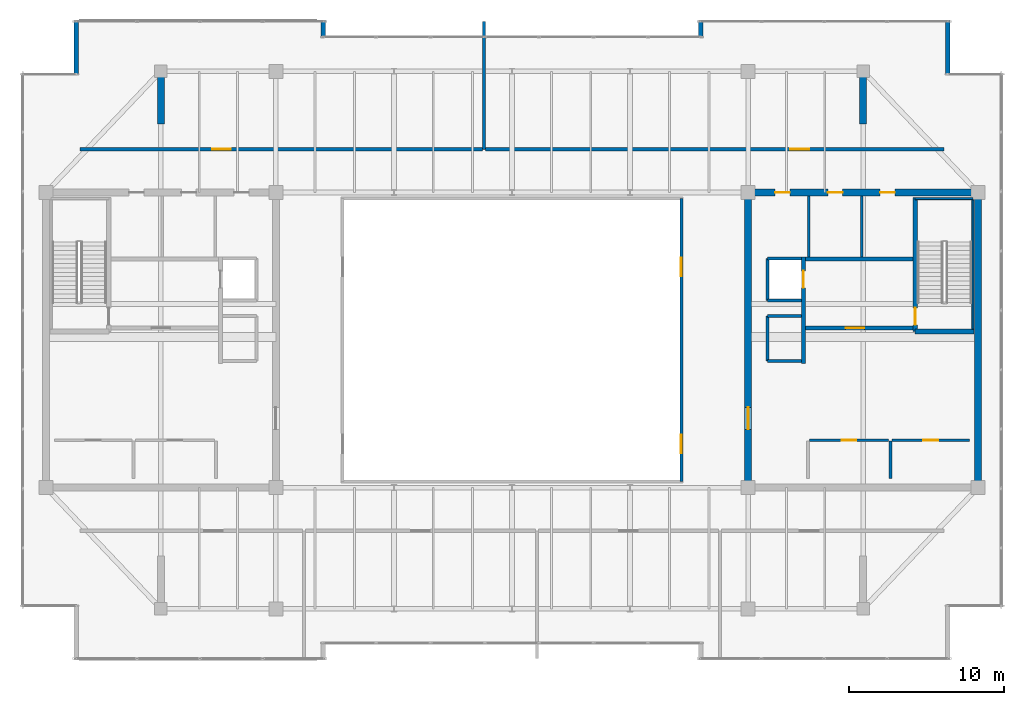
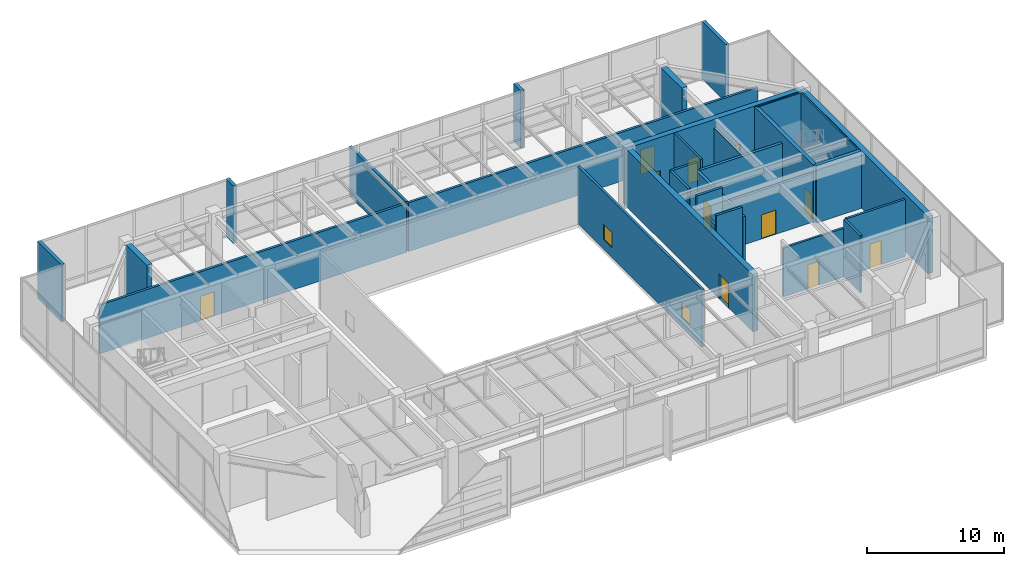
# One storey, part 26 of 30: 31 walls, 11 doors, 2 windows, 13 openings.
"""IFC4 building model written with IfcOpenShell, lengths in metres."""

from ifc_helpers import new_model, si_unit, direction, frame, frame_2d, origin, place, context, subcontext, project, spatial, rectangle, extrude, source, transform, mapped, material, layer, layer_set, type_object, type_shapes, element, fill, save


model = new_model("IFC4")

# Units and contexts
model_context = context("Model", 3, precision=1e-05, world=origin(), true_north=direction((0.0, 1.0)))
body_context = subcontext(model_context, "Body", "Model", "MODEL_VIEW")
ifc_project = project(units=[si_unit("LENGTHUNIT", "METRE"), si_unit("AREAUNIT", "SQUARE_METRE"), si_unit("VOLUMEUNIT", "CUBIC_METRE"), si_unit("PLANEANGLEUNIT", "RADIAN"), si_unit("MASSUNIT", "GRAM", prefix="KILO")], contexts=[model_context])

# Site, building, storey
site_placement = place(None, origin())
site = spatial("IfcSite", under=ifc_project, at=site_placement, CompositionType="ELEMENT")
building_placement = place(site_placement, origin())
building = spatial("IfcBuilding", under=site, at=building_placement, Name="Haelvirn Gate Laboratories", CompositionType="ELEMENT")
storey_placement = place(building_placement, frame((0.0, 0.0, 332.39990234375)))
storey = spatial("IfcBuildingStorey", under=building, at=storey_placement, Name="L79", CompositionType="ELEMENT", Elevation=332.39990234375)

# Walls
ifc_material_1 = material(Name="Thermally-broken bronze aluminium rainscreen & mineral wool", Category="aluminium")
ifc_layer_1 = layer(ifc_material_1, 0.280029296875, Name="EW-TERR-280")
ifc_layer_set_1 = layer_set([ifc_layer_1], Name="Thermally-broken bronze aluminium rainscreen & mineral wool")
wall_type_1 = type_object("IfcWallType", Name="EW-TERR-280", PredefinedType="STANDARD", material=ifc_layer_set_1)
wall_1_placement = place(storey_placement, frame((65.4599609375, 41.412109375, 0.0), z_axis=(0.0, 0.0, 1.0), x_axis=(0.0, 1.0, 0.0)))
element("IfcWall", 1, at=wall_1_placement, inside=storey, type_object=wall_type_1, Name="L79 Atrium Recess Bronze Return Wall 09", PredefinedType="STANDARD", context=body_context, shape_type="SweptSolid", body=[
    extrude(rectangle(XDim=3.48779296875, YDim=0.280029296875, at=frame_2d((1.743896484375, 0.0))), origin(), (0.0, 0.0, 1.0), 5.1201171875),
])
for number, where, z_axis, x_axis, name in (
    (2, (49.5400390625, 44.89990234375, 0.0), (0.0, 0.0, 1.0), (0.0, -1.0, 0.0), "L79 Atrium Recess Bronze Return Wall 11"),
    (3, (25.260009765625, 43.81689453125, 0.0), (0.0, 0.0, 1.0), (0.0, 1.0, 0.0), "L79 Atrium Recess Bronze Return Wall 13"),
):
    element("IfcWall", number, at=place(storey_placement, frame(where, z_axis=z_axis, x_axis=x_axis)), inside=storey, type_object=wall_type_1, Name=name, PredefinedType="STANDARD", context=body_context, shape_type="SweptSolid", body=[
        extrude(rectangle(XDim=1.0830078125, YDim=0.280029296875, at=frame_2d((0.54150390625, 0.0))), origin(), (0.0, 0.0, 1.0), 5.1201171875),
    ])
wall_2_placement = place(storey_placement, frame((9.340087890625, 44.89990234375, 0.0), z_axis=(0.0, 0.0, 1.0), x_axis=(0.0, -1.0, 0.0)))
element("IfcWall", 4, at=wall_2_placement, inside=storey, type_object=wall_type_1, Name="L79 Atrium Recess Bronze Return Wall 15", PredefinedType="STANDARD", context=body_context, shape_type="SweptSolid", body=[
    extrude(rectangle(XDim=3.48779296875, YDim=0.280029296875, at=frame_2d((1.743896484375, 0.0))), origin(), (0.0, 0.0, 1.0), 5.1201171875),
])

# Wall, openings, windows
ifc_material_2 = material(Name="Tempered fire-rated borosilicate glass & anodised aluminium", Category="aluminium")
ifc_layer_2 = layer(ifc_material_2, 0.195068359375, Name="IW-GLAZ-200")
ifc_layer_set_2 = layer_set([ifc_layer_2], Name="Tempered fire-rated borosilicate glass & anodised aluminium")
wall_type_2 = type_object("IfcWallType", Name="IW-GLAZ-200", PredefinedType="SOLIDWALL", material=ifc_layer_set_2)
wall_3_placement = place(storey_placement, frame((48.300048828125, 15.199951171875, 0.0), z_axis=(0.0, 0.0, 1.0), x_axis=(0.0, 1.0, 0.0)))
wall_3 = element("IfcWall", 5, at=wall_3_placement, inside=storey, type_object=wall_type_2, Name="L79 Interior Wall IW-L79-ATRIUM-E", PredefinedType="SOLIDWALL", context=body_context, shape_type="SweptSolid", body=[
    extrude(rectangle(XDim=18.199951171875, YDim=0.195068359375, at=frame_2d((9.10009765625, 0.0))), origin(), (0.0, 0.0, 1.0), 5.1201171875),
])
opening_1_placement = place(wall_3_placement, frame((1.800048828125, 0.0, 0.89990234375)))
opening_1 = element("IfcOpeningElement", 6, at=opening_1_placement, cuts=wall_3, Name="Opening W6", PredefinedType="OPENING", context=body_context, shape_type="SweptSolid", body=[
    extrude(rectangle(XDim=1.199951171875, YDim=1.35009765625, at=frame_2d((0.60009765625, 0.675048828125))), frame((0.0, 0.107421875, 0.0), z_axis=(0.0, -1.0, 0.0), x_axis=(1.0, 0.0, 0.0)), (0.0, 0.0, 1.0), 0.215087890625),
])
opening_2_placement = place(wall_3_placement, frame((13.199951171875, 0.0, 0.89990234375)))
opening_2 = element("IfcOpeningElement", 7, at=opening_2_placement, cuts=wall_3, Name="Opening W6", PredefinedType="OPENING", context=body_context, shape_type="SweptSolid", body=[
    extrude(rectangle(XDim=1.199951171875, YDim=1.35009765625, at=frame_2d((0.60009765625, 0.675048828125))), frame((0.0, 0.107421875, 0.0), z_axis=(0.0, -1.0, 0.0), x_axis=(1.0, 0.0, 0.0)), (0.0, 0.0, 1.0), 0.215087890625),
])
ifc_material_3 = material(Name="Fire-rated EI 120 borosilicate atrium vision glazing", Category="glass")
window_type = type_object("IfcWindowType", Name="WN-ATR-1200", PartitioningType="SINGLE_PANEL", PredefinedType="WINDOW", material=ifc_material_3)
shared_shape_1 = source(origin(), body_context, "Body", "SweptSolid", [
    extrude(rectangle(XDim=1.199951171875, YDim=1.35009765625, at=frame_2d((0.60009765625, 0.675048828125))), frame((0.0, 0.030029296875, 0.0), z_axis=(0.0, -1.0, 0.0), x_axis=(1.0, 0.0, 0.0)), (0.0, 0.0, 1.0), 0.06005859375),
])
type_shapes(window_type, [shared_shape_1])
window_1_placement = place(opening_1_placement, origin())
window_1 = element("IfcWindow", 8, at=window_1_placement, inside=storey, type_object=window_type, Name="L79 Atrium Observation Window 1", OverallHeight=1.35009765625, OverallWidth=1.199951171875, PartitioningType="SINGLE_PANEL", PredefinedType="WINDOW", context=body_context, shape_type="MappedRepresentation", body=[
    mapped(shared_shape_1, transform((0.0, 0.0, 0.0), scale=1.0)),
])
fill(opening_1, window_1)
window_2_placement = place(opening_2_placement, origin())
window_2 = element("IfcWindow", 9, at=window_2_placement, inside=storey, type_object=window_type, Name="L79 Atrium Observation Window 2", OverallHeight=1.35009765625, OverallWidth=1.199951171875, PartitioningType="SINGLE_PANEL", PredefinedType="WINDOW", context=body_context, shape_type="MappedRepresentation", body=[
    mapped(shared_shape_1, transform((0.0, 0.0, 0.0), scale=1.0)),
])
fill(opening_2, window_2)

# Walls
ifc_material_4 = material(Name="Cement-board restroom plumbing chase wall", Category="gypsum")
ifc_layer_3 = layer(ifc_material_4, 0.155029296875, Name="IW-PLUMB-160")
ifc_layer_set_3 = layer_set([ifc_layer_3], Name="Cement-board restroom plumbing chase wall")
wall_type_3 = type_object("IfcWallType", Name="IW-PLUMB-160", PredefinedType="PLUMBINGWALL", material=ifc_layer_set_3)
wall_4_placement = place(storey_placement, frame((59.909912109375, 29.64990234375, 0.0), z_axis=(0.0, 0.0, 1.0), x_axis=(0.0, 1.0, 0.0)))
element("IfcWall", 10, at=wall_4_placement, inside=storey, type_object=wall_type_3, Name="L79 Interior Wall IW-L79-E-CDIV-1", PredefinedType="PLUMBINGWALL", context=body_context, shape_type="SweptSolid", body=[
    extrude(rectangle(XDim=3.93017578125, YDim=0.155029296875, at=frame_2d((1.965087890625, 0.0))), origin(), (0.0, 0.0, 1.0), 4.35498046875),
])
wall_5_placement = place(storey_placement, frame((56.510009765625, 29.64990234375, 0.0), z_axis=(0.0, 0.0, 1.0), x_axis=(0.0, 1.0, 0.0)))
element("IfcWall", 11, at=wall_5_placement, inside=storey, type_object=wall_type_3, Name="L79 Interior Wall IW-L79-E-CDIV-2", PredefinedType="PLUMBINGWALL", context=body_context, shape_type="SweptSolid", body=[
    extrude(rectangle(XDim=3.93017578125, YDim=0.155029296875, at=frame_2d((1.965087890625, 0.0))), origin(), (0.0, 0.0, 1.0), 5.1201171875),
])

# Wall, opening, door
ifc_material_5 = material(Name="Concrete C40/50", Category="concrete")
ifc_layer_4 = layer(ifc_material_5, 0.179931640625, Name="IW-SHAFT-180")
ifc_layer_set_4 = layer_set([ifc_layer_4], Name="Concrete C40/50")
wall_type_4 = type_object("IfcWallType", Name="IW-SHAFT-180", PredefinedType="SOLIDWALL", material=ifc_layer_set_4)
wall_6_placement = place(storey_placement, frame((61.85009765625, 17.85009765625, 0.0), z_axis=(0.0, 0.0, 1.0), x_axis=(1.0, 0.0, 0.0)))
wall_6 = element("IfcWall", 12, at=wall_6_placement, inside=storey, type_object=wall_type_4, Name="L79 Interior Wall IW-L79-E-FREED-HN-1", PredefinedType="SOLIDWALL", context=body_context, shape_type="SweptSolid", body=[
    extrude(rectangle(XDim=5.0, YDim=0.179931640625, at=frame_2d((2.5, 0.0))), origin(), (0.0, 0.0, 1.0), 5.1201171875),
])
opening_3_placement = place(wall_6_placement, frame((2.02490234375, 0.0, 0.0)))
opening_3 = element("IfcOpeningElement", 13, at=opening_3_placement, cuts=wall_6, Name="Opening FD4", PredefinedType="OPENING", context=body_context, shape_type="SweptSolid", body=[
    extrude(rectangle(XDim=0.949951171875, YDim=2.14990234375, at=frame_2d((0.47509765625, 1.074951171875))), frame((0.0, 0.10009765625, 0.0), z_axis=(0.0, -1.0, 0.0), x_axis=(1.0, 0.0, 0.0)), (0.0, 0.0, 1.0), 0.199951171875),
])
ifc_material_6 = material(Name="Fire-rated steel SM355 core service door", Category="steel")
door_type_1 = type_object("IfcDoorType", Name="DR-FD-950", OperationType="NOTDEFINED", PredefinedType="DOOR", material=ifc_material_6)
shared_shape_2 = source(origin(), body_context, "Body", "SweptSolid", [
    extrude(rectangle(XDim=0.949951171875, YDim=2.14990234375, at=frame_2d((0.47509765625, 1.074951171875))), frame((0.0, 0.02490234375, 0.0), z_axis=(0.0, -1.0, 0.0), x_axis=(1.0, 0.0, 0.0)), (0.0, 0.0, 1.0), 0.050048828125),
])
type_shapes(door_type_1, [shared_shape_2])
door_1_placement = place(opening_3_placement, origin())
door_1 = element("IfcDoor", 14, at=door_1_placement, inside=storey, type_object=door_type_1, Name="L79 Cryogenic Specimen Biobank Door", OperationType="SINGLE_SWING_LEFT", OverallHeight=2.14990234375, OverallWidth=0.949951171875, PredefinedType="DOOR", context=body_context, shape_type="MappedRepresentation", body=[
    mapped(shared_shape_2, transform((0.0, 0.0, 0.0), scale=1.0)),
])
fill(opening_3, door_1)

# Wall
wall_7_placement = place(storey_placement, frame((61.760009765625, 15.39990234375, 0.0), z_axis=(0.0, 0.0, 1.0), x_axis=(0.0, 1.0, 0.0)))
element("IfcWall", 15, at=wall_7_placement, inside=storey, type_object=wall_type_4, Name="L79 Interior Wall IW-L79-E-FREED-HE-1", PredefinedType="SOLIDWALL", context=body_context, shape_type="SweptSolid", body=[
    extrude(rectangle(XDim=2.400146484375, YDim=0.179931640625, at=frame_2d((1.2001953125, 0.0))), origin(), (0.0, 0.0, 1.0), 5.1201171875),
])

# Wall, opening, door
wall_8_placement = place(storey_placement, frame((56.550048828125, 17.85009765625, 0.0), z_axis=(0.0, 0.0, 1.0), x_axis=(1.0, 0.0, 0.0)))
wall_8 = element("IfcWall", 16, at=wall_8_placement, inside=storey, type_object=wall_type_4, Name="L79 Interior Wall IW-L79-E-FREED-HN-2", PredefinedType="SOLIDWALL", context=body_context, shape_type="SweptSolid", body=[
    extrude(rectangle(XDim=5.099853515625, YDim=0.179931640625, at=frame_2d((2.5498046875, 0.0))), origin(), (0.0, 0.0, 1.0), 4.35498046875),
])
opening_4_placement = place(wall_8_placement, frame((2.074951171875, 0.0, 0.0)))
opening_4 = element("IfcOpeningElement", 17, at=opening_4_placement, cuts=wall_8, Name="Opening FD4", PredefinedType="OPENING", context=body_context, shape_type="SweptSolid", body=[
    extrude(rectangle(XDim=0.949951171875, YDim=2.14990234375, at=frame_2d((0.47509765625, 1.074951171875))), frame((0.0, 0.10009765625, 0.0), z_axis=(0.0, -1.0, 0.0), x_axis=(1.0, 0.0, 0.0)), (0.0, 0.0, 1.0), 0.199951171875),
])
door_2_placement = place(opening_4_placement, origin())
door_2 = element("IfcDoor", 18, at=door_2_placement, inside=storey, type_object=door_type_1, Name="L79 Cryo-Assay Preparation Laboratory Door", OperationType="SINGLE_SWING_RIGHT", OverallHeight=2.14990234375, OverallWidth=0.949951171875, PredefinedType="DOOR", context=body_context, shape_type="MappedRepresentation", body=[
    mapped(shared_shape_2, transform((0.0, 0.0, 0.0), scale=1.0)),
])
fill(opening_4, door_2)

# Walls
ifc_layer_5 = layer(ifc_material_5, 0.199951171875, Name="IW-SHAFT-200")
ifc_layer_set_5 = layer_set([ifc_layer_5], Name="Concrete C40/50")
wall_type_5 = type_object("IfcWallType", Name="IW-SHAFT-200", PredefinedType="SOLIDWALL", material=ifc_layer_set_5)
wall_9_placement = place(storey_placement, frame((53.85009765625, 26.85009765625, 0.0), z_axis=(0.0, 0.0, 1.0), x_axis=(0.0, 1.0, 0.0)))
element("IfcWall", 19, at=wall_9_placement, inside=storey, type_object=wall_type_5, Name="L79 Interior Wall IW-L79-FL2-BK", PredefinedType="SOLIDWALL", context=body_context, shape_type="SweptSolid", body=[
    extrude(rectangle(XDim=2.699951171875, YDim=0.199951171875, at=frame_2d((1.35009765625, 0.0))), origin(), (0.0, 0.0, 1.0), 5.1201171875),
])
wall_10_placement = place(storey_placement, frame((53.85009765625, 29.550048828125, 0.0), z_axis=(0.0, 0.0, 1.0), x_axis=(1.0, 0.0, 0.0)))
element("IfcWall", 20, at=wall_10_placement, inside=storey, type_object=wall_type_5, Name="L79 Interior Wall IW-L79-FL2-N", PredefinedType="SOLIDWALL", context=body_context, shape_type="SweptSolid", body=[
    extrude(rectangle(XDim=2.18994140625, YDim=0.199951171875, at=frame_2d((1.094970703125, 0.0))), origin(), (0.0, 0.0, 1.0), 5.1201171875),
])
wall_11_placement = place(storey_placement, frame((53.85009765625, 26.85009765625, 0.0), z_axis=(0.0, 0.0, 1.0), x_axis=(1.0, 0.0, 0.0)))
element("IfcWall", 21, at=wall_11_placement, inside=storey, type_object=wall_type_5, Name="L79 Interior Wall IW-L79-FL2-S", PredefinedType="SOLIDWALL", context=body_context, shape_type="SweptSolid", body=[
    extrude(rectangle(XDim=2.18994140625, YDim=0.199951171875, at=frame_2d((1.094970703125, 0.0))), origin(), (0.0, 0.0, 1.0), 4.51708984375),
])
wall_12_placement = place(storey_placement, frame((53.85009765625, 22.949951171875, 0.0), z_axis=(0.0, 0.0, 1.0), x_axis=(0.0, 1.0, 0.0)))
element("IfcWall", 22, at=wall_12_placement, inside=storey, type_object=wall_type_5, Name="L79 Interior Wall IW-L79-SL2-BK", PredefinedType="SOLIDWALL", context=body_context, shape_type="SweptSolid", body=[
    extrude(rectangle(XDim=2.900146484375, YDim=0.199951171875, at=frame_2d((1.4501953125, 0.0))), origin(), (0.0, 0.0, 1.0), 4.255126953125),
])
for number, where, z_axis, x_axis, name in (
    (23, (53.85009765625, 25.85009765625, 0.0), (0.0, 0.0, 1.0), (1.0, 0.0, 0.0), "L79 Interior Wall IW-L79-SL2-N"),
    (24, (53.85009765625, 22.949951171875, 0.0), (0.0, 0.0, 1.0), (1.0, 0.0, 0.0), "L79 Interior Wall IW-L79-SL2-S"),
):
    element("IfcWall", number, at=place(storey_placement, frame(where, z_axis=z_axis, x_axis=x_axis)), inside=storey, type_object=wall_type_5, Name=name, PredefinedType="SOLIDWALL", context=body_context, shape_type="SweptSolid", body=[
        extrude(rectangle(XDim=2.18994140625, YDim=0.199951171875, at=frame_2d((1.094970703125, 0.0))), origin(), (0.0, 0.0, 1.0), 5.1201171875),
    ])

# Wall, opening, door
wall_13_placement = place(storey_placement, frame((9.60009765625, 36.580078125, 0.0), z_axis=(0.0, 0.0, 1.0), x_axis=(1.0, 0.0, 0.0)))
wall_13 = element("IfcWall", 25, at=wall_13_placement, inside=storey, type_object=wall_type_5, Name="L79 Interior Wall IW-L79-PNW-1", PredefinedType="SOLIDWALL", context=body_context, shape_type="SweptSolid", body=[
    extrude(rectangle(XDim=25.89990234375, YDim=0.199951171875, at=frame_2d((12.949951171875, 0.0))), origin(), (0.0, 0.0, 1.0), 4.35498046875),
])
opening_5_placement = place(wall_13_placement, frame((8.50439453125, 0.0, 0.0)))
opening_5 = element("IfcOpeningElement", 26, at=opening_5_placement, cuts=wall_13, Name="Opening FD2", PredefinedType="OPENING", context=body_context, shape_type="SweptSolid", body=[
    extrude(rectangle(XDim=1.199951171875, YDim=2.159912109375, at=frame_2d((0.60009765625, 1.080078125))), frame((0.0, 0.10986328125, 0.0), z_axis=(0.0, -1.0, 0.0), x_axis=(1.0, 0.0, 0.0)), (0.0, 0.0, 1.0), 0.219970703125),
])
ifc_material_7 = material(Name="Fire-rated steel SM355 compartment door", Category="steel")
door_type_2 = type_object("IfcDoorType", Name="DR-FD-1200", OperationType="NOTDEFINED", PredefinedType="DOOR", material=ifc_material_7)
shared_shape_3 = source(origin(), body_context, "Body", "SweptSolid", [
    extrude(rectangle(XDim=1.199951171875, YDim=2.159912109375, at=frame_2d((0.60009765625, 1.080078125))), frame((0.0, 0.02490234375, 0.0), z_axis=(0.0, -1.0, 0.0), x_axis=(1.0, 0.0, 0.0)), (0.0, 0.0, 1.0), 0.050048828125),
])
type_shapes(door_type_2, [shared_shape_3])
door_3_placement = place(opening_5_placement, origin())
door_3 = element("IfcDoor", 27, at=door_3_placement, inside=storey, type_object=door_type_2, Name="L79 Crown Rainwater Harvesting & Mist Plant Fire Door", OperationType="SINGLE_SWING_RIGHT", OverallHeight=2.159912109375, OverallWidth=1.199951171875, PredefinedType="DOOR", context=body_context, shape_type="MappedRepresentation", body=[
    mapped(shared_shape_3, transform((0.0, 0.0, 0.0), scale=1.0)),
])
fill(opening_5, door_3)

# Wall
wall_14_placement = place(storey_placement, frame((35.60009765625, 36.580078125, 0.0), z_axis=(0.0, 0.0, 1.0), x_axis=(0.0, 1.0, 0.0)))
element("IfcWall", 28, at=wall_14_placement, inside=storey, type_object=wall_type_5, Name="L79 Interior Wall IW-L79-PNDIV-1", PredefinedType="SOLIDWALL", context=body_context, shape_type="SweptSolid", body=[
    extrude(rectangle(XDim=8.2099609375, YDim=0.199951171875, at=frame_2d((4.10498046875, 0.0))), origin(), (0.0, 0.0, 1.0), 4.455078125),
])

# Wall, opening, door
wall_15_placement = place(storey_placement, frame((35.699951171875, 36.580078125, 0.0), z_axis=(0.0, 0.0, 1.0), x_axis=(1.0, 0.0, 0.0)))
wall_15 = element("IfcWall", 29, at=wall_15_placement, inside=storey, type_object=wall_type_5, Name="L79 Interior Wall IW-L79-PNW-2", PredefinedType="SOLIDWALL", context=body_context, shape_type="SweptSolid", body=[
    extrude(rectangle(XDim=29.5, YDim=0.199951171875, at=frame_2d((14.75, 0.0))), origin(), (0.0, 0.0, 1.0), 4.35498046875),
])
opening_6_placement = place(wall_15_placement, frame((19.623291015625, 0.0, 0.0)))
opening_6 = element("IfcOpeningElement", 30, at=opening_6_placement, cuts=wall_15, Name="Opening FD2", PredefinedType="OPENING", context=body_context, shape_type="SweptSolid", body=[
    extrude(rectangle(XDim=1.199951171875, YDim=2.159912109375, at=frame_2d((0.60009765625, 1.080078125))), frame((0.0, 0.10986328125, 0.0), z_axis=(0.0, -1.0, 0.0), x_axis=(1.0, 0.0, 0.0)), (0.0, 0.0, 1.0), 0.219970703125),
])
door_4_placement = place(opening_6_placement, origin())
door_4 = element("IfcDoor", 31, at=door_4_placement, inside=storey, type_object=door_type_2, Name="L79 Upper Crown Chilled-Water Pump Plant Fire Door", OperationType="SINGLE_SWING_LEFT", OverallHeight=2.159912109375, OverallWidth=1.199951171875, PredefinedType="DOOR", context=body_context, shape_type="MappedRepresentation", body=[
    mapped(shared_shape_3, transform((0.0, 0.0, 0.0), scale=1.0)),
])
fill(opening_6, door_4)

ifc_layer_6 = layer(ifc_material_5, 0.239990234375, Name="IW-SHAFT-240")
ifc_layer_set_6 = layer_set([ifc_layer_6], Name="Concrete C40/50")
wall_type_6 = type_object("IfcWallType", Name="IW-SHAFT-240", PredefinedType="SOLIDWALL", material=ifc_layer_set_6)
wall_16_placement = place(storey_placement, frame((56.280029296875, 25.080078125, 0.0), z_axis=(0.0, 0.0, 1.0), x_axis=(1.0, 0.0, 0.0)))
wall_16 = element("IfcWall", 32, at=wall_16_placement, inside=storey, type_object=wall_type_6, Name="L79 Interior Wall IW-L79-E-FF-S", PredefinedType="SOLIDWALL", context=body_context, shape_type="SweptSolid", body=[
    extrude(rectangle(XDim=6.919921875, YDim=0.239990234375, at=frame_2d((3.4599609375, 0.0))), origin(), (0.0, 0.0, 1.0), 4.35498046875),
])
opening_7_placement = place(wall_16_placement, frame((2.60009765625, 0.0, 0.0)))
opening_7 = element("IfcOpeningElement", 33, at=opening_7_placement, cuts=wall_16, Name="Opening FD2", PredefinedType="OPENING", context=body_context, shape_type="SweptSolid", body=[
    extrude(rectangle(XDim=1.199951171875, YDim=2.159912109375, at=frame_2d((0.60009765625, 1.080078125))), frame((0.0, 0.1298828125, 0.0), z_axis=(0.0, -1.0, 0.0), x_axis=(1.0, 0.0, 0.0)), (0.0, 0.0, 1.0), 0.260009765625),
])
door_5_placement = place(opening_7_placement, origin())
door_5 = element("IfcDoor", 34, at=door_5_placement, inside=storey, type_object=door_type_2, Name="L79 East Firefighting Lobby Door", OperationType="SINGLE_SWING_LEFT", OverallHeight=2.159912109375, OverallWidth=1.199951171875, PredefinedType="DOOR", context=body_context, shape_type="MappedRepresentation", body=[
    mapped(shared_shape_3, transform((0.0, 0.0, 0.0), scale=1.0)),
])
fill(opening_7, door_5)

# Wall
wall_17_placement = place(storey_placement, frame((56.280029296875, 29.52001953125, 0.0), z_axis=(0.0, 0.0, 1.0), x_axis=(1.0, 0.0, 0.0)))
element("IfcWall", 35, at=wall_17_placement, inside=storey, type_object=wall_type_6, Name="L79 Interior Wall IW-L79-E-FF-N", PredefinedType="SOLIDWALL", context=body_context, shape_type="SweptSolid", body=[
    extrude(rectangle(XDim=6.919921875, YDim=0.239990234375, at=frame_2d((3.4599609375, 0.0))), origin(), (0.0, 0.0, 1.0), 4.35498046875),
])

# Wall, opening, door
wall_18_placement = place(storey_placement, frame((56.159912109375, 22.800048828125, 0.0), z_axis=(0.0, 0.0, 1.0), x_axis=(0.0, 1.0, 0.0)))
wall_18 = element("IfcWall", 36, at=wall_18_placement, inside=storey, type_object=wall_type_6, Name="L79 Interior Wall IW-L79-E-FF-E", PredefinedType="SOLIDWALL", context=body_context, shape_type="SweptSolid", body=[
    extrude(rectangle(XDim=6.849853515625, YDim=0.239990234375, at=frame_2d((3.4248046875, 0.0))), origin(), (0.0, 0.0, 1.0), 4.255126953125),
])
opening_8_placement = place(wall_18_placement, frame((4.85009765625, 0.0, 0.0)))
opening_8 = element("IfcOpeningElement", 37, at=opening_8_placement, cuts=wall_18, Name="Opening LD2", PredefinedType="OPENING", context=body_context, shape_type="SweptSolid", body=[
    extrude(rectangle(XDim=1.10009765625, YDim=2.219970703125, at=frame_2d((0.550048828125, 1.10986328125))), frame((0.0, 0.1298828125, 0.0), z_axis=(0.0, -1.0, 0.0), x_axis=(1.0, 0.0, 0.0)), (0.0, 0.0, 1.0), 0.260009765625),
])
ifc_material_8 = material(Name="Bronze stainless 316L sliding lift landing door")
door_type_3 = type_object("IfcDoorType", Name="DR-LD-1100", OperationType="NOTDEFINED", PredefinedType="USERDEFINED", material=ifc_material_8)
shared_shape_4 = source(origin(), body_context, "Body", "SweptSolid", [
    extrude(rectangle(XDim=1.10009765625, YDim=2.219970703125, at=frame_2d((0.550048828125, 1.10986328125))), frame((0.0, 0.02490234375, 0.0), z_axis=(0.0, -1.0, 0.0), x_axis=(1.0, 0.0, 0.0)), (0.0, 0.0, 1.0), 0.050048828125),
])
type_shapes(door_type_3, [shared_shape_4])
door_6_placement = place(opening_8_placement, origin())
door_6 = element("IfcDoor", 38, at=door_6_placement, inside=storey, type_object=door_type_3, Name="L79 Firefighting Lift FL2 Landing Door", ObjectType="LANDING_DOOR", OperationType="SLIDING_TO_RIGHT", OverallHeight=2.219970703125, OverallWidth=1.10009765625, PredefinedType="USERDEFINED", context=body_context, shape_type="MappedRepresentation", body=[
    mapped(shared_shape_4, transform((0.0, 0.0, 0.0), scale=1.0)),
])
fill(opening_8, door_6)

# Wall, openings, doors
ifc_material_9 = material(Name="Concrete C50/60", Category="concrete")
ifc_layer_7 = layer(ifc_material_9, 0.449951171875, Name="SW-CORE-450")
ifc_layer_set_7 = layer_set([ifc_layer_7], Name="Concrete C50/60")
wall_type_7 = type_object("IfcWallType", Name="SW-CORE-450", PredefinedType="SHEAR", material=ifc_layer_set_7)
wall_19_placement = place(storey_placement, frame((52.375, 33.800048828125, 0.0), z_axis=(0.0, 0.0, 1.0), x_axis=(1.0, 0.0, 0.0)))
wall_19 = element("IfcWall", 39, at=wall_19_placement, inside=storey, type_object=wall_type_7, Name="L79 E Core Shear Wall N", PredefinedType="SHEAR", context=body_context, shape_type="SweptSolid", body=[
    extrude(rectangle(XDim=15.25, YDim=0.449951171875, at=frame_2d((7.625, 0.0))), origin(), (0.0, 0.0, 1.0), 5.1201171875),
])
opening_9_placement = place(wall_19_placement, frame((8.72509765625, 0.0, 0.0)))
opening_9 = element("IfcOpeningElement", 40, at=opening_9_placement, cuts=wall_19, Name="Opening FD4", PredefinedType="OPENING", context=body_context, shape_type="SweptSolid", body=[
    extrude(rectangle(XDim=0.949951171875, YDim=2.14990234375, at=frame_2d((0.47509765625, 1.074951171875))), frame((0.0, 0.23486328125, 0.0), z_axis=(0.0, -1.0, 0.0), x_axis=(1.0, 0.0, 0.0)), (0.0, 0.0, 1.0), 0.469970703125),
])
opening_10_placement = place(wall_19_placement, frame((5.360107421875, 0.0, 0.0)))
opening_10 = element("IfcOpeningElement", 41, at=opening_10_placement, cuts=wall_19, Name="Opening FD4", PredefinedType="OPENING", context=body_context, shape_type="SweptSolid", body=[
    extrude(rectangle(XDim=0.949951171875, YDim=2.14990234375, at=frame_2d((0.47509765625, 1.074951171875))), frame((0.0, 0.23486328125, 0.0), z_axis=(0.0, -1.0, 0.0), x_axis=(1.0, 0.0, 0.0)), (0.0, 0.0, 1.0), 0.469970703125),
])
opening_11_placement = place(wall_19_placement, frame((1.9599609375, 0.0, 0.0)))
opening_11 = element("IfcOpeningElement", 42, at=opening_11_placement, cuts=wall_19, Name="Opening FD4", PredefinedType="OPENING", context=body_context, shape_type="SweptSolid", body=[
    extrude(rectangle(XDim=0.949951171875, YDim=2.14990234375, at=frame_2d((0.47509765625, 1.074951171875))), frame((0.0, 0.23486328125, 0.0), z_axis=(0.0, -1.0, 0.0), x_axis=(1.0, 0.0, 0.0)), (0.0, 0.0, 1.0), 0.469970703125),
])
door_7_placement = place(opening_9_placement, origin())
door_7 = element("IfcDoor", 43, at=door_7_placement, inside=storey, type_object=door_type_1, Name="L79 Male Restroom Fire Door", OperationType="SINGLE_SWING_RIGHT", OverallHeight=2.14990234375, OverallWidth=0.949951171875, PredefinedType="DOOR", context=body_context, shape_type="MappedRepresentation", body=[
    mapped(shared_shape_2, transform((0.0, 0.0, 0.0), scale=1.0)),
])
fill(opening_9, door_7)
door_8_placement = place(opening_10_placement, origin())
door_8 = element("IfcDoor", 44, at=door_8_placement, inside=storey, type_object=door_type_1, Name="L79 Female Restroom Fire Door", OperationType="SINGLE_SWING_LEFT", OverallHeight=2.14990234375, OverallWidth=0.949951171875, PredefinedType="DOOR", context=body_context, shape_type="MappedRepresentation", body=[
    mapped(shared_shape_2, transform((0.0, 0.0, 0.0), scale=1.0)),
])
fill(opening_10, door_8)
door_9_placement = place(opening_11_placement, origin())
door_9 = element("IfcDoor", 45, at=door_9_placement, inside=storey, type_object=door_type_1, Name="L79 Accessible Restroom Fire Door", OperationType="SINGLE_SWING_RIGHT", OverallHeight=2.14990234375, OverallWidth=0.949951171875, PredefinedType="DOOR", context=body_context, shape_type="MappedRepresentation", body=[
    mapped(shared_shape_2, transform((0.0, 0.0, 0.0), scale=1.0)),
])
fill(opening_11, door_9)

# Wall, opening, door
wall_20_placement = place(storey_placement, frame((52.60009765625, 15.02490234375, 0.0), z_axis=(0.0, 0.0, 1.0), x_axis=(0.0, 1.0, 0.0)))
wall_20 = element("IfcWall", 46, at=wall_20_placement, inside=storey, type_object=wall_type_7, Name="L79 E Core Shear Wall W", PredefinedType="SHEAR", context=body_context, shape_type="SweptSolid", body=[
    extrude(rectangle(XDim=18.550048828125, YDim=0.449951171875, at=frame_2d((9.27490234375, 0.0))), origin(), (0.0, 0.0, 1.0), 5.1201171875),
])
opening_12_placement = place(wall_20_placement, frame((3.52490234375, 0.0, 0.0)))
opening_12 = element("IfcOpeningElement", 47, at=opening_12_placement, cuts=wall_20, Name="Opening FD1", PredefinedType="OPENING", context=body_context, shape_type="SweptSolid", body=[
    extrude(rectangle(XDim=1.419921875, YDim=2.199951171875, at=frame_2d((0.7099609375, 1.10009765625))), frame((0.0, 0.23486328125, 0.0), z_axis=(0.0, -1.0, 0.0), x_axis=(1.0, 0.0, 0.0)), (0.0, 0.0, 1.0), 0.469970703125),
])
ifc_material_10 = material(Name="Fire-rated double steel SM355 lobby door", Category="steel")
door_type_4 = type_object("IfcDoorType", Name="DR-FD-1400", OperationType="NOTDEFINED", PredefinedType="DOOR", material=ifc_material_10)
shared_shape_5 = source(origin(), body_context, "Body", "SweptSolid", [
    extrude(rectangle(XDim=1.419921875, YDim=2.199951171875, at=frame_2d((0.7099609375, 1.10009765625))), frame((0.0, 0.02490234375, 0.0), z_axis=(0.0, -1.0, 0.0), x_axis=(1.0, 0.0, 0.0)), (0.0, 0.0, 1.0), 0.050048828125),
])
type_shapes(door_type_4, [shared_shape_5])
door_10_placement = place(opening_12_placement, origin())
door_10 = element("IfcDoor", 48, at=door_10_placement, inside=storey, type_object=door_type_4, Name="L79 East Core Lift Lobby Fire Door", OperationType="DOUBLE_DOOR_SINGLE_SWING", OverallHeight=2.199951171875, OverallWidth=1.419921875, PredefinedType="DOOR", context=body_context, shape_type="MappedRepresentation", body=[
    mapped(shared_shape_5, transform((0.0, 0.0, 0.0), scale=1.0)),
])
fill(opening_12, door_10)

# Walls
wall_21_placement = place(storey_placement, frame((67.39990234375, 15.02490234375, 0.0), z_axis=(0.0, 0.0, 1.0), x_axis=(0.0, 1.0, 0.0)))
element("IfcWall", 49, at=wall_21_placement, inside=storey, type_object=wall_type_7, Name="L79 E Core Shear Wall E", PredefinedType="SHEAR", context=body_context, shape_type="SweptSolid", body=[
    extrude(rectangle(XDim=18.550048828125, YDim=0.449951171875, at=frame_2d((9.27490234375, 0.0))), origin(), (0.0, 0.0, 1.0), 5.1201171875),
])
for number, where, z_axis, x_axis, name in (
    (50, (14.800048828125, 38.199951171875, 0.0), (0.0, 0.0, 1.0), (0.0, 1.0, 0.0), "L79 Transverse Slab Shear Wall W-N"),
    (51, (60.0, 38.199951171875, 0.0), (0.0, 0.0, 1.0), (0.0, 1.0, 0.0), "L79 Transverse Slab Shear Wall E-N"),
):
    element("IfcWall", number, at=place(storey_placement, frame(where, z_axis=z_axis, x_axis=x_axis)), inside=storey, type_object=wall_type_7, Name=name, PredefinedType="SHEAR", context=body_context, shape_type="SweptSolid", body=[
        extrude(rectangle(XDim=3.10009765625, YDim=0.449951171875, at=frame_2d((1.550048828125, 0.0))), origin(), (0.0, 0.0, 1.0), 5.1201171875),
    ])
ifc_layer_8 = layer(ifc_material_9, 0.1201171875, Name="SW-LINER-120")
ifc_layer_set_8 = layer_set([ifc_layer_8], Name="Concrete C50/60")
wall_type_8 = type_object("IfcWallType", Name="SW-LINER-120", PredefinedType="SOLIDWALL", material=ifc_layer_set_8)
wall_22_placement = place(storey_placement, frame((63.35009765625, 33.39990234375, 0.0), z_axis=(0.0, 0.0, 1.0), x_axis=(1.0, 0.0, 0.0)))
element("IfcWall", 52, at=wall_22_placement, inside=storey, type_object=wall_type_8, Name="L79 E Core Stair Shaft Liner Wall N", PredefinedType="SOLIDWALL", context=body_context, shape_type="SweptSolid", body=[
    extrude(rectangle(XDim=3.719970703125, YDim=0.1201171875, at=frame_2d((1.85986328125, 0.0))), origin(), (0.0, 0.0, 1.0), 5.1201171875),
])
wall_23_placement = place(storey_placement, frame((67.070068359375, 25.0, 0.0), z_axis=(0.0, 0.0, 1.0), x_axis=(0.0, 1.0, 0.0)))
element("IfcWall", 53, at=wall_23_placement, inside=storey, type_object=wall_type_8, Name="L79 E Core Stair Shaft Liner Wall OUT", PredefinedType="SOLIDWALL", context=body_context, shape_type="SweptSolid", body=[
    extrude(rectangle(XDim=8.320068359375, YDim=0.1201171875, at=frame_2d((4.16015625, 0.0))), origin(), (0.0, 0.0, 1.0), 5.1201171875),
])

# Wall, opening, door
ifc_layer_9 = layer(ifc_material_9, 0.300048828125, Name="SW-STAIR-300")
ifc_layer_set_9 = layer_set([ifc_layer_9], Name="Concrete C50/60")
wall_type_9 = type_object("IfcWallType", Name="SW-STAIR-300", PredefinedType="SHEAR", material=ifc_layer_set_9)
wall_24_placement = place(storey_placement, frame((63.35009765625, 24.85009765625, 0.0), z_axis=(0.0, 0.0, 1.0), x_axis=(0.0, 1.0, 0.0)))
wall_24 = element("IfcWall", 54, at=wall_24_placement, inside=storey, type_object=wall_type_9, Name="L79 E Core Stair Shaft Structural Wall IN", PredefinedType="SHEAR", context=body_context, shape_type="SweptSolid", body=[
    extrude(rectangle(XDim=8.6298828125, YDim=0.300048828125, at=frame_2d((4.31494140625, 0.0))), origin(), (0.0, 0.0, 1.0), 5.1201171875),
])
opening_13_placement = place(wall_24_placement, frame((0.419921875, 0.0, 0.0)))
opening_13 = element("IfcOpeningElement", 55, at=opening_13_placement, cuts=wall_24, Name="Opening FD3", PredefinedType="OPENING", context=body_context, shape_type="SweptSolid", body=[
    extrude(rectangle(XDim=1.10009765625, YDim=2.14990234375, at=frame_2d((0.550048828125, 1.074951171875))), frame((0.0, 0.16015625, 0.0), z_axis=(0.0, -1.0, 0.0), x_axis=(1.0, 0.0, 0.0)), (0.0, 0.0, 1.0), 0.320068359375),
])
ifc_material_11 = material(Name="Fire-rated steel SM355 escape stair door", Category="steel")
door_type_5 = type_object("IfcDoorType", Name="DR-FD-1100", OperationType="NOTDEFINED", PredefinedType="DOOR", material=ifc_material_11)
shared_shape_6 = source(origin(), body_context, "Body", "SweptSolid", [
    extrude(rectangle(XDim=1.10009765625, YDim=2.14990234375, at=frame_2d((0.550048828125, 1.074951171875))), frame((0.0, 0.02490234375, 0.0), z_axis=(0.0, -1.0, 0.0), x_axis=(1.0, 0.0, 0.0)), (0.0, 0.0, 1.0), 0.050048828125),
])
type_shapes(door_type_5, [shared_shape_6])
door_11_placement = place(opening_13_placement, origin())
door_11 = element("IfcDoor", 56, at=door_11_placement, inside=storey, type_object=door_type_5, Name="L79 Escape Stair ST2 Fire Door", OperationType="SINGLE_SWING_RIGHT", OverallHeight=2.14990234375, OverallWidth=1.10009765625, PredefinedType="DOOR", context=body_context, shape_type="MappedRepresentation", body=[
    mapped(shared_shape_6, transform((0.0, 0.0, 0.0), scale=1.0)),
])
fill(opening_13, door_11)

# Wall
wall_25_placement = place(storey_placement, frame((63.35009765625, 24.85009765625, 0.0), z_axis=(0.0, 0.0, 1.0), x_axis=(1.0, 0.0, 0.0)))
element("IfcWall", 57, at=wall_25_placement, inside=storey, type_object=wall_type_9, Name="L79 E Core Stair Shaft Structural Wall S", PredefinedType="SHEAR", context=body_context, shape_type="SweptSolid", body=[
    extrude(rectangle(XDim=3.7998046875, YDim=0.300048828125, at=frame_2d((1.89990234375, 0.0))), origin(), (0.0, 0.0, 1.0), 5.1201171875),
])

save(model, "model.ifc")
